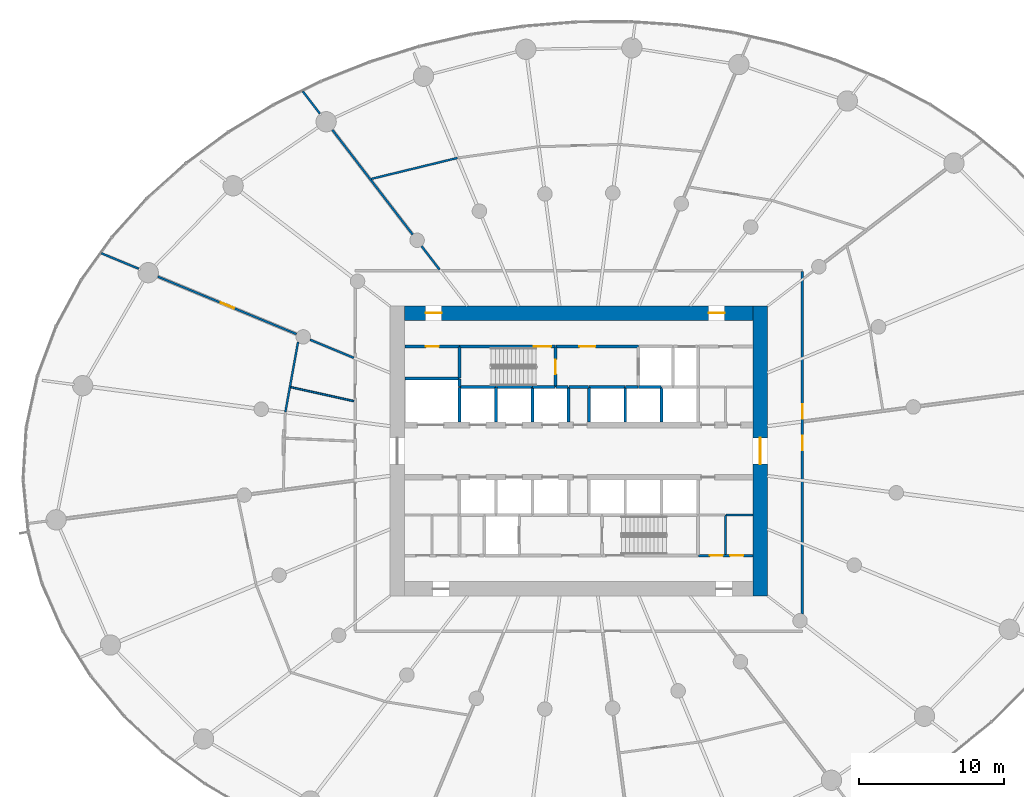
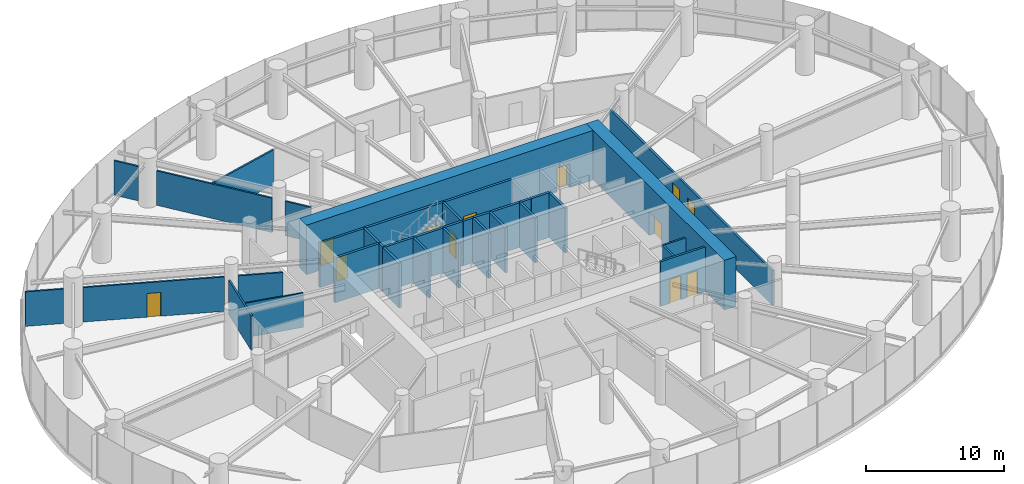
# One storey, part 13 of 17: 37 walls, 12 doors, 12 openings.
"""IFC4 building model written with IfcOpenShell, lengths in metres."""

from ifc_helpers import new_model, si_unit, direction, frame, frame_2d, origin, place, context, subcontext, project, spatial, rectangle, extrude, source, transform, mapped, material, layer, layer_set, type_object, element, fill, save


model = new_model("IFC4")

# Units and contexts
model_context = context("Model", 3, precision=1e-05, world=origin(), true_north=direction((0.0, 1.0)))
body_context = subcontext(model_context, "Body", "Model", "MODEL_VIEW")
ifc_project = project(units=[si_unit("LENGTHUNIT", "METRE"), si_unit("AREAUNIT", "SQUARE_METRE"), si_unit("VOLUMEUNIT", "CUBIC_METRE"), si_unit("PLANEANGLEUNIT", "RADIAN"), si_unit("MASSUNIT", "GRAM", prefix="KILO")], contexts=[model_context])

# Site, building, storey
site_placement = place(None, origin())
site = spatial("IfcSite", under=ifc_project, at=site_placement, CompositionType="ELEMENT")
building_placement = place(site_placement, origin())
building = spatial("IfcBuilding", under=site, at=building_placement, Name="Spindrift Exchange Tower", CompositionType="ELEMENT")
storey_placement = place(building_placement, frame((0.0, 0.0, 35.800048828125)))
storey = spatial("IfcBuildingStorey", under=building, at=storey_placement, Name="L08", CompositionType="ELEMENT", Elevation=35.800048828125)

# Wall, opening, door
ifc_material_1 = material(Name="Concrete 80 MPa", Category="concrete")
ifc_layer_1 = layer(ifc_material_1, 1.0)
ifc_layer_set_1 = layer_set([ifc_layer_1], Name="RC Core Wall 1000 Concrete 80 MPa")
wall_type_1 = type_object("IfcWallType", Name="RC Core Wall 1000 Concrete 80 MPa", PredefinedType="SHEAR", material=ifc_layer_set_1)
wall_1_placement = place(storey_placement, frame((64.5, 38.0, 0.0), z_axis=(0.0, 0.0, 1.0), x_axis=(0.0, 1.0, 0.0)))
wall_1 = element("IfcWall", 1, at=wall_1_placement, inside=storey, type_object=wall_type_1, Name="Core wall E L08", PredefinedType="SHEAR", context=body_context, shape_type="SweptSolid", body=[
    extrude(rectangle(XDim=20.0, YDim=1.0, at=frame_2d((10.0, 0.0))), origin(), (0.0, 0.0, 1.0), 4.39990234375),
])
opening_1_placement = place(wall_1_placement, frame((9.10009765625, 0.0, 0.0)))
opening_1 = element("IfcOpeningElement", 2, at=opening_1_placement, cuts=wall_1, Name="Opening L08-D2", PredefinedType="OPENING", context=body_context, shape_type="SweptSolid", body=[
    extrude(rectangle(XDim=1.800048828125, YDim=2.10009765625, at=frame_2d((0.89990234375, 1.050048828125))), frame((0.0, 0.510009765625, 0.0), z_axis=(0.0, -1.0, 0.0), x_axis=(1.0, 0.0, 0.0)), (0.0, 0.0, 1.0), 1.02001953125),
])
ifc_material_2 = material(Name="Timber-core fire door", Category="wood")
door_type_1 = type_object("IfcDoorType", Name="DR-LOBBY-1800", OperationType="NOTDEFINED", PredefinedType="DOOR", material=ifc_material_2)
shared_shape_1 = source(origin(), body_context, "Body", "SweptSolid", [
    extrude(rectangle(XDim=1.800048828125, YDim=2.10009765625, at=frame_2d((0.89990234375, 1.050048828125))), frame((0.0, 0.02490234375, 0.0), z_axis=(0.0, -1.0, 0.0), x_axis=(1.0, 0.0, 0.0)), (0.0, 0.0, 1.0), 0.050048828125),
])
door_1_placement = place(opening_1_placement, origin())
door_1 = element("IfcDoor", 3, at=door_1_placement, inside=storey, type_object=door_type_1, Name="L08 Lobby door 2", OperationType="SINGLE_SWING_LEFT", OverallHeight=2.10009765625, OverallWidth=1.800048828125, PredefinedType="DOOR", context=body_context, shape_type="MappedRepresentation", body=[
    mapped(shared_shape_1, transform((0.0, 0.0, 0.0), scale=1.0)),
])
fill(opening_1, door_1)

# Wall, openings, doors
wall_2_placement = place(storey_placement, frame((64.0, 57.5, 0.0), z_axis=(0.0, 0.0, 1.0), x_axis=(-1.0, 0.0, 0.0)))
wall_2 = element("IfcWall", 4, at=wall_2_placement, inside=storey, type_object=wall_type_1, Name="Core wall N L08", PredefinedType="SHEAR", context=body_context, shape_type="SweptSolid", body=[
    extrude(rectangle(XDim=24.0, YDim=1.0, at=frame_2d((12.0, 0.0))), origin(), (0.0, 0.0, 1.0), 4.39990234375),
])
opening_2_placement = place(wall_2_placement, frame((21.449951171875, 0.0, 0.0)))
opening_2 = element("IfcOpeningElement", 5, at=opening_2_placement, cuts=wall_2, Name="Opening L08-D20", PredefinedType="OPENING", context=body_context, shape_type="SweptSolid", body=[
    extrude(rectangle(XDim=1.10009765625, YDim=2.10009765625, at=frame_2d((0.550048828125, 1.050048828125))), frame((0.0, 0.510009765625, 0.0), z_axis=(0.0, -1.0, 0.0), x_axis=(1.0, 0.0, 0.0)), (0.0, 0.0, 1.0), 1.02001953125),
])
opening_3_placement = place(wall_2_placement, frame((1.949951171875, 0.0, 0.0)))
opening_3 = element("IfcOpeningElement", 6, at=opening_3_placement, cuts=wall_2, Name="Opening L08-D21", PredefinedType="OPENING", context=body_context, shape_type="SweptSolid", body=[
    extrude(rectangle(XDim=1.10009765625, YDim=2.10009765625, at=frame_2d((0.550048828125, 1.050048828125))), frame((0.0, 0.510009765625, 0.0), z_axis=(0.0, -1.0, 0.0), x_axis=(1.0, 0.0, 0.0)), (0.0, 0.0, 1.0), 1.02001953125),
])
ifc_material_3 = material(Name="Steel fire door", Category="steel")
door_type_2 = type_object("IfcDoorType", Name="DR-STAIR-1100", OperationType="NOTDEFINED", PredefinedType="DOOR", material=ifc_material_3)
shared_shape_2 = source(origin(), body_context, "Body", "SweptSolid", [
    extrude(rectangle(XDim=1.10009765625, YDim=2.10009765625, at=frame_2d((0.550048828125, 1.050048828125))), frame((0.0, 0.02490234375, 0.0), z_axis=(0.0, -1.0, 0.0), x_axis=(1.0, 0.0, 0.0)), (0.0, 0.0, 1.0), 0.050048828125),
])
door_2_placement = place(opening_2_placement, origin())
door_2 = element("IfcDoor", 7, at=door_2_placement, inside=storey, type_object=door_type_2, Name="L08 Stair door 20", OperationType="SINGLE_SWING_LEFT", OverallHeight=2.10009765625, OverallWidth=1.10009765625, PredefinedType="DOOR", context=body_context, shape_type="MappedRepresentation", body=[
    mapped(shared_shape_2, transform((0.0, 0.0, 0.0), scale=1.0)),
])
fill(opening_2, door_2)
door_3_placement = place(opening_3_placement, origin())
door_3 = element("IfcDoor", 8, at=door_3_placement, inside=storey, type_object=door_type_2, Name="L08 Stair door 21", OperationType="SINGLE_SWING_RIGHT", OverallHeight=2.10009765625, OverallWidth=1.10009765625, PredefinedType="DOOR", context=body_context, shape_type="MappedRepresentation", body=[
    mapped(shared_shape_2, transform((0.0, 0.0, 0.0), scale=1.0)),
])
fill(opening_3, door_3)

# Wall, opening, door
ifc_material_4 = material(Name="Fire-rated plasterboard partition", Category="gypsum")
ifc_layer_2 = layer(ifc_material_4, 0.179931640625)
ifc_layer_set_2 = layer_set([ifc_layer_2], Name="W-CORR-180")
wall_type_2 = type_object("IfcWallType", Name="W-CORR-180", PredefinedType="PARTITIONING", material=ifc_layer_set_2)
wall_3_placement = place(storey_placement, frame((43.77001953125, 55.199951171875, 0.0), z_axis=(0.0, 0.0, 1.0), x_axis=(-1.0, 0.0, 0.0)))
wall_3 = element("IfcWall", 9, at=wall_3_placement, inside=storey, type_object=wall_type_2, Name="L08 Partition wall 62", PredefinedType="PARTITIONING", context=body_context, shape_type="SweptSolid", body=[
    extrude(rectangle(XDim=3.75, YDim=0.179931640625, at=frame_2d((1.875, 0.0))), origin(), (0.0, 0.0, 1.0), 3.949951171875),
])
opening_4_placement = place(wall_3_placement, frame((1.39990234375, 0.0, 0.0)))
opening_4 = element("IfcOpeningElement", 10, at=opening_4_placement, cuts=wall_3, Name="Opening L08-D41", PredefinedType="OPENING", context=body_context, shape_type="SweptSolid", body=[
    extrude(rectangle(XDim=0.89990234375, YDim=2.10009765625, at=frame_2d((0.449951171875, 1.050048828125))), frame((0.0, 0.099853515625, 0.0), z_axis=(0.0, -1.0, 0.0), x_axis=(1.0, 0.0, 0.0)), (0.0, 0.0, 1.0), 0.199951171875),
])
ifc_material_5 = material(Name="Steel access door", Category="steel")
door_type_3 = type_object("IfcDoorType", Name="DR-RISER-900", OperationType="NOTDEFINED", PredefinedType="DOOR", material=ifc_material_5)
shared_shape_3 = source(origin(), body_context, "Body", "SweptSolid", [
    extrude(rectangle(XDim=0.89990234375, YDim=2.10009765625, at=frame_2d((0.449951171875, 1.050048828125))), frame((0.0, 0.02490234375, 0.0), z_axis=(0.0, -1.0, 0.0), x_axis=(1.0, 0.0, 0.0)), (0.0, 0.0, 1.0), 0.050048828125),
])
door_4_placement = place(opening_4_placement, origin())
door_4 = element("IfcDoor", 11, at=door_4_placement, inside=storey, type_object=door_type_3, Name="L08 Riser door 41", OperationType="SINGLE_SWING_RIGHT", OverallHeight=2.10009765625, OverallWidth=0.89990234375, PredefinedType="DOOR", context=body_context, shape_type="MappedRepresentation", body=[
    mapped(shared_shape_3, transform((0.0, 0.0, 0.0), scale=1.0)),
])
fill(opening_4, door_4)

# Wall, openings, doors
wall_4_placement = place(storey_placement, frame((60.22998046875, 40.800048828125, 0.0), z_axis=(0.0, 0.0, 1.0), x_axis=(1.0, 0.0, 0.0)))
wall_4 = element("IfcWall", 12, at=wall_4_placement, inside=storey, type_object=wall_type_2, Name="L08 Partition wall 63", PredefinedType="PARTITIONING", context=body_context, shape_type="SweptSolid", body=[
    extrude(rectangle(XDim=3.75, YDim=0.179931640625, at=frame_2d((1.875, 0.0))), origin(), (0.0, 0.0, 1.0), 3.949951171875),
])
opening_5_placement = place(wall_4_placement, frame((0.800048828125, 0.0, 0.0)))
opening_5 = element("IfcOpeningElement", 13, at=opening_5_placement, cuts=wall_4, Name="Opening L08-D48", PredefinedType="OPENING", context=body_context, shape_type="SweptSolid", body=[
    extrude(rectangle(XDim=0.89990234375, YDim=2.10009765625, at=frame_2d((0.449951171875, 1.050048828125))), frame((0.0, 0.099853515625, 0.0), z_axis=(0.0, -1.0, 0.0), x_axis=(1.0, 0.0, 0.0)), (0.0, 0.0, 1.0), 0.199951171875),
])
opening_6_placement = place(wall_4_placement, frame((2.199951171875, 0.0, 0.0)))
opening_6 = element("IfcOpeningElement", 14, at=opening_6_placement, cuts=wall_4, Name="Opening L08-D49", PredefinedType="OPENING", context=body_context, shape_type="SweptSolid", body=[
    extrude(rectangle(XDim=0.89990234375, YDim=2.10009765625, at=frame_2d((0.449951171875, 1.050048828125))), frame((0.0, 0.099853515625, 0.0), z_axis=(0.0, -1.0, 0.0), x_axis=(1.0, 0.0, 0.0)), (0.0, 0.0, 1.0), 0.199951171875),
])
door_5_placement = place(opening_5_placement, origin())
door_5 = element("IfcDoor", 15, at=door_5_placement, inside=storey, type_object=door_type_3, Name="L08 Riser door 48", OperationType="SINGLE_SWING_LEFT", OverallHeight=2.10009765625, OverallWidth=0.89990234375, PredefinedType="DOOR", context=body_context, shape_type="MappedRepresentation", body=[
    mapped(shared_shape_3, transform((0.0, 0.0, 0.0), scale=1.0)),
])
fill(opening_5, door_5)
door_6_placement = place(opening_6_placement, origin())
door_6 = element("IfcDoor", 16, at=door_6_placement, inside=storey, type_object=door_type_3, Name="L08 Riser door 49", OperationType="SINGLE_SWING_RIGHT", OverallHeight=2.10009765625, OverallWidth=0.89990234375, PredefinedType="DOOR", context=body_context, shape_type="MappedRepresentation", body=[
    mapped(shared_shape_3, transform((0.0, 0.0, 0.0), scale=1.0)),
])
fill(opening_6, door_6)

# Wall, opening, door
ifc_layer_3 = layer(ifc_material_4, 0.139892578125)
ifc_layer_set_3 = layer_set([ifc_layer_3], Name="W-PART-140")
wall_type_3 = type_object("IfcWallType", Name="W-PART-140", PredefinedType="PARTITIONING", material=ifc_layer_set_3)
wall_5_placement = place(storey_placement, frame((32.560791015625, 56.052001953125, 0.0), z_axis=(0.0, 0.0, 1.0), x_axis=(-0.923874685699, 0.382695133396, 0.0)))
wall_5 = element("IfcWall", 17, at=wall_5_placement, inside=storey, type_object=wall_type_3, Name="L08 Partition wall 67", PredefinedType="PARTITIONING", context=body_context, shape_type="SweptSolid", body=[
    extrude(rectangle(XDim=10.341064453125, YDim=0.139892578125, at=frame_2d((5.17041015625, 0.0))), origin(), (0.0, 0.0, 1.0), 3.050048828125),
])
opening_7_placement = place(wall_5_placement, frame((4.64990234375, 0.0, 0.0)))
opening_7 = element("IfcOpeningElement", 18, at=opening_7_placement, cuts=wall_5, Name="Opening L08-D29", PredefinedType="OPENING", context=body_context, shape_type="SweptSolid", body=[
    extrude(rectangle(XDim=1.0, YDim=2.10009765625, at=frame_2d((0.5, 1.050048828125))), frame((0.0, 0.079833984375, 0.0), z_axis=(0.0, -1.0, 0.0), x_axis=(1.0, 0.0, 0.0)), (0.0, 0.0, 1.0), 0.159912109375),
])
door_type_4 = type_object("IfcDoorType", Name="DR-ROOM-1000", OperationType="NOTDEFINED", PredefinedType="DOOR", material=ifc_material_2)
shared_shape_4 = source(origin(), body_context, "Body", "SweptSolid", [
    extrude(rectangle(XDim=1.0, YDim=2.10009765625, at=frame_2d((0.5, 1.050048828125))), frame((0.0, 0.02490234375, 0.0), z_axis=(0.0, -1.0, 0.0), x_axis=(1.0, 0.0, 0.0)), (0.0, 0.0, 1.0), 0.050048828125),
])
door_7_placement = place(opening_7_placement, origin())
door_7 = element("IfcDoor", 19, at=door_7_placement, inside=storey, type_object=door_type_4, Name="L08 Door 29", OperationType="SINGLE_SWING_RIGHT", OverallHeight=2.10009765625, OverallWidth=1.0, PredefinedType="DOOR", context=body_context, shape_type="MappedRepresentation", body=[
    mapped(shared_shape_4, transform((0.0, 0.0, 0.0), scale=1.0)),
])
fill(opening_7, door_7)

# Walls
wall_6_placement = place(storey_placement, frame((35.031982421875, 70.113037109375, 0.0), z_axis=(0.0, 0.0, 1.0), x_axis=(0.608770769454, -0.793346173028, 0.0)))
element("IfcWall", 20, at=wall_6_placement, inside=storey, type_object=wall_type_3, Name="L08 Partition wall 70", PredefinedType="PARTITIONING", context=body_context, shape_type="SweptSolid", body=[
    extrude(rectangle(XDim=9.0791015625, YDim=0.139892578125, at=frame_2d((4.53955078125, 0.0))), origin(), (0.0, 0.0, 1.0), 3.050048828125),
])
wall_7_placement = place(storey_placement, frame((43.64111328125, 68.179931640625, 0.0), z_axis=(0.0, 0.0, 1.0), x_axis=(-0.971620655009, -0.23654450482, 0.0)))
element("IfcWall", 21, at=wall_7_placement, inside=storey, type_object=wall_type_3, Name="L08 Partition wall 78", PredefinedType="PARTITIONING", context=body_context, shape_type="SweptSolid", body=[
    extrude(rectangle(XDim=6.102783203125, YDim=0.139892578125, at=frame_2d((3.05126953125, 0.0))), origin(), (0.0, 0.0, 1.0), 3.050048828125),
])
wall_8_placement = place(storey_placement, frame((32.66943359375, 55.502685546875, 0.0), z_axis=(0.0, 0.0, 1.0), x_axis=(-0.178046403734, -0.984022092291, 0.0)))
element("IfcWall", 22, at=wall_8_placement, inside=storey, type_object=wall_type_3, Name="L08 Partition wall 91", PredefinedType="PARTITIONING", context=body_context, shape_type="SweptSolid", body=[
    extrude(rectangle(XDim=4.89111328125, YDim=0.139892578125, at=frame_2d((2.445556640625, 0.0))), origin(), (0.0, 0.0, 1.0), 3.050048828125),
])
wall_9_placement = place(storey_placement, frame((36.510009765625, 54.416259765625, 0.0), z_axis=(0.0, 0.0, 1.0), x_axis=(-0.923911109142, 0.382607190737, 0.0)))
element("IfcWall", 23, at=wall_9_placement, inside=storey, type_object=wall_type_3, Name="L08 Partition wall 96", PredefinedType="PARTITIONING", context=body_context, shape_type="SweptSolid", body=[
    extrude(rectangle(XDim=3.264404296875, YDim=0.139892578125, at=frame_2d((1.63232421875, 0.0))), origin(), (0.0, 0.0, 1.0), 3.050048828125),
])
wall_10_placement = place(storey_placement, frame((62.10009765625, 40.889892578125, 0.0), z_axis=(0.0, 0.0, 1.0), x_axis=(0.0, 1.0, 0.0)))
element("IfcWall", 24, at=wall_10_placement, inside=storey, type_object=wall_type_3, Name="L08 Partition wall 98", PredefinedType="PARTITIONING", context=body_context, shape_type="SweptSolid", body=[
    extrude(rectangle(XDim=2.710205078125, YDim=0.139892578125, at=frame_2d((1.35498046875, 0.0))), origin(), (0.0, 0.0, 1.0), 3.050048828125),
])
wall_11_placement = place(storey_placement, frame((21.7041015625, 60.549072265625, 0.0), z_axis=(0.0, 0.0, 1.0), x_axis=(-0.923906214347, 0.382619010363, 0.0)))
element("IfcWall", 25, at=wall_11_placement, inside=storey, type_object=wall_type_3, Name="L08 Partition wall 99", PredefinedType="PARTITIONING", context=body_context, shape_type="SweptSolid", body=[
    extrude(rectangle(XDim=2.79736328125, YDim=0.139892578125, at=frame_2d((1.398681640625, 0.0))), origin(), (0.0, 0.0, 1.0), 3.050048828125),
])
wall_12_placement = place(storey_placement, frame((42.416015625, 60.489990234375, 0.0), z_axis=(0.0, 0.0, 1.0), x_axis=(-0.608727763541, 0.793379171578, 0.0)))
element("IfcWall", 26, at=wall_12_placement, inside=storey, type_object=wall_type_3, Name="L08 Partition wall 102", PredefinedType="PARTITIONING", context=body_context, shape_type="SweptSolid", body=[
    extrude(rectangle(XDim=2.04150390625, YDim=0.139892578125, at=frame_2d((1.020751953125, 0.0))), origin(), (0.0, 0.0, 1.0), 3.050048828125),
])
wall_13_placement = place(storey_placement, frame((34.1748046875, 71.23046875, 0.0), z_axis=(0.0, 0.0, 1.0), x_axis=(-0.608846424219, 0.793288113938, 0.0)))
element("IfcWall", 27, at=wall_13_placement, inside=storey, type_object=wall_type_3, Name="L08 Partition wall 104", PredefinedType="PARTITIONING", context=body_context, shape_type="SweptSolid", body=[
    extrude(rectangle(XDim=1.939208984375, YDim=0.139892578125, at=frame_2d((0.9697265625, 0.0))), origin(), (0.0, 0.0, 1.0), 3.050048828125),
])
wall_14_placement = place(storey_placement, frame((62.1298828125, 43.60009765625, 0.0), z_axis=(0.0, 0.0, 1.0), x_axis=(1.0, 0.0, 0.0)))
element("IfcWall", 28, at=wall_14_placement, inside=storey, type_object=wall_type_3, Name="L08 Partition wall 111", PredefinedType="PARTITIONING", context=body_context, shape_type="SweptSolid", body=[
    extrude(rectangle(XDim=1.85009765625, YDim=0.139892578125, at=frame_2d((0.925048828125, 0.0))), origin(), (0.0, 0.0, 1.0), 3.050048828125),
])

# Wall, openings, doors
ifc_layer_4 = layer(ifc_material_4, 0.179931640625)
ifc_layer_set_4 = layer_set([ifc_layer_4], Name="W-PLANT-180")
wall_type_4 = type_object("IfcWallType", Name="W-PLANT-180", PredefinedType="PARTITIONING", material=ifc_layer_set_4)
wall_15_placement = place(storey_placement, frame((67.39990234375, 60.3701171875, 0.0), z_axis=(0.0, 0.0, 1.0), x_axis=(0.0, -1.0, 0.0)))
wall_15 = element("IfcWall", 29, at=wall_15_placement, inside=storey, type_object=wall_type_4, Name="L08 Partition wall 59", PredefinedType="PARTITIONING", context=body_context, shape_type="SweptSolid", body=[
    extrude(rectangle(XDim=23.58251953125, YDim=0.179931640625, at=frame_2d((11.791259765625, 0.0))), origin(), (0.0, 0.0, 1.0), 3.050048828125),
])
opening_8_placement = place(wall_15_placement, frame((11.33251953125, 0.0, 0.0)))
opening_8 = element("IfcOpeningElement", 30, at=opening_8_placement, cuts=wall_15, Name="Opening L08-D33", PredefinedType="OPENING", context=body_context, shape_type="SweptSolid", body=[
    extrude(rectangle(XDim=1.0, YDim=2.10009765625, at=frame_2d((0.5, 1.050048828125))), frame((0.0, 0.099853515625, 0.0), z_axis=(0.0, -1.0, 0.0), x_axis=(1.0, 0.0, 0.0)), (0.0, 0.0, 1.0), 0.199951171875),
])
opening_9_placement = place(wall_15_placement, frame((9.132568359375, 0.0, 0.0)))
opening_9 = element("IfcOpeningElement", 31, at=opening_9_placement, cuts=wall_15, Name="Opening L08-D34", PredefinedType="OPENING", context=body_context, shape_type="SweptSolid", body=[
    extrude(rectangle(XDim=1.0, YDim=2.10009765625, at=frame_2d((0.5, 1.050048828125))), frame((0.0, 0.099853515625, 0.0), z_axis=(0.0, -1.0, 0.0), x_axis=(1.0, 0.0, 0.0)), (0.0, 0.0, 1.0), 0.199951171875),
])
door_8_placement = place(opening_8_placement, origin())
door_8 = element("IfcDoor", 32, at=door_8_placement, inside=storey, type_object=door_type_4, Name="L08 Door 33", OperationType="SINGLE_SWING_RIGHT", OverallHeight=2.10009765625, OverallWidth=1.0, PredefinedType="DOOR", context=body_context, shape_type="MappedRepresentation", body=[
    mapped(shared_shape_4, transform((0.0, 0.0, 0.0), scale=1.0)),
])
fill(opening_8, door_8)
door_9_placement = place(opening_9_placement, origin())
door_9 = element("IfcDoor", 33, at=door_9_placement, inside=storey, type_object=door_type_4, Name="L08 Door 34", OperationType="SINGLE_SWING_LEFT", OverallHeight=2.10009765625, OverallWidth=1.0, PredefinedType="DOOR", context=body_context, shape_type="MappedRepresentation", body=[
    mapped(shared_shape_4, transform((0.0, 0.0, 0.0), scale=1.0)),
])
fill(opening_9, door_9)

# Walls
ifc_material_6 = material(Name="Concrete 40 MPa", Category="concrete")
ifc_layer_5 = layer(ifc_material_6, 0.199951171875)
ifc_layer_set_5 = layer_set([ifc_layer_5], Name="W-SHAFT-200")
wall_type_5 = type_object("IfcWallType", Name="W-SHAFT-200", PredefinedType="SOLIDWALL", material=ifc_layer_set_5)
wall_16_placement = place(storey_placement, frame((55.199951171875, 52.39990234375, 0.0), z_axis=(0.0, 0.0, 1.0), x_axis=(-1.0, 0.0, 0.0)))
element("IfcWall", 34, at=wall_16_placement, inside=storey, type_object=wall_type_5, Name="L08 Shaft wall 18", PredefinedType="SOLIDWALL", context=body_context, shape_type="SweptSolid", body=[
    extrude(rectangle(XDim=2.5, YDim=0.199951171875, at=frame_2d((1.25, 0.0))), origin(), (0.0, 0.0, 1.0), 3.949951171875),
])
wall_17_placement = place(storey_placement, frame((51.300048828125, 50.010009765625, 0.0), z_axis=(0.0, 0.0, 1.0), x_axis=(0.0, 1.0, 0.0)))
element("IfcWall", 35, at=wall_17_placement, inside=storey, type_object=wall_type_5, Name="L08 Shaft wall 30", PredefinedType="SOLIDWALL", context=body_context, shape_type="SweptSolid", body=[
    extrude(rectangle(XDim=2.389892578125, YDim=0.199951171875, at=frame_2d((1.19482421875, 0.0))), origin(), (0.0, 0.0, 1.0), 3.949951171875),
])
for number, where, z_axis, x_axis, name in (
    (36, (52.699951171875, 52.3701171875, 0.0), (0.0, 0.0, 1.0), (0.0, -1.0, 0.0), "L08 Shaft wall 32"),
    (37, (55.199951171875, 50.010009765625, 0.0), (0.0, 0.0, 1.0), (0.0, 1.0, 0.0), "L08 Shaft wall 34"),
):
    element("IfcWall", number, at=place(storey_placement, frame(where, z_axis=z_axis, x_axis=x_axis)), inside=storey, type_object=wall_type_5, Name=name, PredefinedType="SOLIDWALL", context=body_context, shape_type="SweptSolid", body=[
        extrude(rectangle(XDim=2.360107421875, YDim=0.199951171875, at=frame_2d((1.18017578125, 0.0))), origin(), (0.0, 0.0, 1.0), 3.949951171875),
    ])
wall_18_placement = place(storey_placement, frame((57.699951171875, 50.010009765625, 0.0), z_axis=(0.0, 0.0, 1.0), x_axis=(0.0, 1.0, 0.0)))
element("IfcWall", 38, at=wall_18_placement, inside=storey, type_object=wall_type_5, Name="L08 Shaft wall 36", PredefinedType="SOLIDWALL", context=body_context, shape_type="SweptSolid", body=[
    extrude(rectangle(XDim=2.389892578125, YDim=0.199951171875, at=frame_2d((1.19482421875, 0.0))), origin(), (0.0, 0.0, 1.0), 3.949951171875),
])
wall_19_placement = place(storey_placement, frame((57.669921875, 52.39990234375, 0.0), z_axis=(0.0, 0.0, 1.0), x_axis=(-1.0, 0.0, 0.0)))
element("IfcWall", 39, at=wall_19_placement, inside=storey, type_object=wall_type_5, Name="L08 Shaft wall 47", PredefinedType="SOLIDWALL", context=body_context, shape_type="SweptSolid", body=[
    extrude(rectangle(XDim=1.5400390625, YDim=0.199951171875, at=frame_2d((0.77001953125, 0.0))), origin(), (0.0, 0.0, 1.0), 3.949951171875),
])
wall_20_placement = place(storey_placement, frame((51.330078125, 52.39990234375, 0.0), z_axis=(0.0, 0.0, 1.0), x_axis=(1.0, 0.0, 0.0)))
element("IfcWall", 40, at=wall_20_placement, inside=storey, type_object=wall_type_5, Name="L08 Shaft wall 49", PredefinedType="SOLIDWALL", context=body_context, shape_type="SweptSolid", body=[
    extrude(rectangle(XDim=1.33984375, YDim=0.199951171875, at=frame_2d((0.669921875, 0.0))), origin(), (0.0, 0.0, 1.0), 3.949951171875),
])
wall_21_placement = place(storey_placement, frame((56.070068359375, 52.39990234375, 0.0), z_axis=(0.0, 0.0, 1.0), x_axis=(-1.0, 0.0, 0.0)))
element("IfcWall", 41, at=wall_21_placement, inside=storey, type_object=wall_type_5, Name="L08 Shaft wall 53", PredefinedType="SOLIDWALL", context=body_context, shape_type="SweptSolid", body=[
    extrude(rectangle(XDim=0.840087890625, YDim=0.199951171875, at=frame_2d((0.419921875, 0.0))), origin(), (0.0, 0.0, 1.0), 3.949951171875),
])

# Wall, opening, door
ifc_layer_6 = layer(ifc_material_6, 0.199951171875)
ifc_layer_set_6 = layer_set([ifc_layer_6], Name="W-SHAFT-200-LB")
wall_type_6 = type_object("IfcWallType", Name="W-SHAFT-200-LB", PredefinedType="SOLIDWALL", material=ifc_layer_set_6)
wall_22_placement = place(storey_placement, frame((50.39990234375, 55.199951171875, 0.0), z_axis=(0.0, 0.0, 1.0), x_axis=(-1.0, 0.0, 0.0)))
wall_22 = element("IfcWall", 42, at=wall_22_placement, inside=storey, type_object=wall_type_6, Name="L08 Shaft wall 1", PredefinedType="SOLIDWALL", context=body_context, shape_type="SweptSolid", body=[
    extrude(rectangle(XDim=6.599853515625, YDim=0.199951171875, at=frame_2d((3.2998046875, 0.0))), origin(), (0.0, 0.0, 1.0), 3.949951171875),
])
opening_10_placement = place(wall_22_placement, frame((0.300048828125, 0.0, 0.0)))
opening_10 = element("IfcOpeningElement", 43, at=opening_10_placement, cuts=wall_22, Name="Opening L08-D13", PredefinedType="OPENING", context=body_context, shape_type="SweptSolid", body=[
    extrude(rectangle(XDim=1.199951171875, YDim=2.10009765625, at=frame_2d((0.60009765625, 1.050048828125))), frame((0.0, 0.10986328125, 0.0), z_axis=(0.0, -1.0, 0.0), x_axis=(1.0, 0.0, 0.0)), (0.0, 0.0, 1.0), 0.219970703125),
])
door_type_5 = type_object("IfcDoorType", Name="DR-STAIR-1200", OperationType="NOTDEFINED", PredefinedType="DOOR", material=ifc_material_3)
shared_shape_5 = source(origin(), body_context, "Body", "SweptSolid", [
    extrude(rectangle(XDim=1.199951171875, YDim=2.10009765625, at=frame_2d((0.60009765625, 1.050048828125))), frame((0.0, 0.02490234375, 0.0), z_axis=(0.0, -1.0, 0.0), x_axis=(1.0, 0.0, 0.0)), (0.0, 0.0, 1.0), 0.050048828125),
])
door_10_placement = place(opening_10_placement, origin())
door_10 = element("IfcDoor", 44, at=door_10_placement, inside=storey, type_object=door_type_5, Name="L08 Stair door 13", OperationType="SINGLE_SWING_RIGHT", OverallHeight=2.10009765625, OverallWidth=1.199951171875, PredefinedType="DOOR", context=body_context, shape_type="MappedRepresentation", body=[
    mapped(shared_shape_5, transform((0.0, 0.0, 0.0), scale=1.0)),
])
fill(opening_10, door_10)

wall_23_placement = place(storey_placement, frame((56.10009765625, 55.199951171875, 0.0), z_axis=(0.0, 0.0, 1.0), x_axis=(-1.0, 0.0, 0.0)))
wall_23 = element("IfcWall", 45, at=wall_23_placement, inside=storey, type_object=wall_type_6, Name="L08 Shaft wall 4", PredefinedType="SOLIDWALL", context=body_context, shape_type="SweptSolid", body=[
    extrude(rectangle(XDim=5.670166015625, YDim=0.199951171875, at=frame_2d((2.8349609375, 0.0))), origin(), (0.0, 0.0, 1.0), 3.949951171875),
])
opening_11_placement = place(wall_23_placement, frame((2.949951171875, 0.0, 0.0)))
opening_11 = element("IfcOpeningElement", 46, at=opening_11_placement, cuts=wall_23, Name="Opening L08-D15", PredefinedType="OPENING", context=body_context, shape_type="SweptSolid", body=[
    extrude(rectangle(XDim=1.10009765625, YDim=2.10009765625, at=frame_2d((0.550048828125, 1.050048828125))), frame((0.0, 0.10986328125, 0.0), z_axis=(0.0, -1.0, 0.0), x_axis=(1.0, 0.0, 0.0)), (0.0, 0.0, 1.0), 0.219970703125),
])
door_type_6 = type_object("IfcDoorType", Name="DR-LOBBY-1100", OperationType="NOTDEFINED", PredefinedType="DOOR", material=ifc_material_2)
shared_shape_6 = source(origin(), body_context, "Body", "SweptSolid", [
    extrude(rectangle(XDim=1.10009765625, YDim=2.10009765625, at=frame_2d((0.550048828125, 1.050048828125))), frame((0.0, 0.02490234375, 0.0), z_axis=(0.0, -1.0, 0.0), x_axis=(1.0, 0.0, 0.0)), (0.0, 0.0, 1.0), 0.050048828125),
])
door_11_placement = place(opening_11_placement, origin())
door_11 = element("IfcDoor", 47, at=door_11_placement, inside=storey, type_object=door_type_6, Name="L08 Lobby door 15", OperationType="SINGLE_SWING_RIGHT", OverallHeight=2.10009765625, OverallWidth=1.10009765625, PredefinedType="DOOR", context=body_context, shape_type="MappedRepresentation", body=[
    mapped(shared_shape_6, transform((0.0, 0.0, 0.0), scale=1.0)),
])
fill(opening_11, door_11)

# Wall
wall_24_placement = place(storey_placement, frame((43.800048828125, 53.0, 0.0), z_axis=(0.0, 0.0, 1.0), x_axis=(-1.0, 0.0, 0.0)))
element("IfcWall", 48, at=wall_24_placement, inside=storey, type_object=wall_type_6, Name="L08 Shaft wall 5", PredefinedType="SOLIDWALL", context=body_context, shape_type="SweptSolid", body=[
    extrude(rectangle(XDim=3.780029296875, YDim=0.199951171875, at=frame_2d((1.89013671875, 0.0))), origin(), (0.0, 0.0, 1.0), 3.949951171875),
])

# Wall, opening, door
wall_25_placement = place(storey_placement, frame((50.39990234375, 52.39990234375, 0.0), z_axis=(0.0, 0.0, 1.0), x_axis=(0.0, 1.0, 0.0)))
wall_25 = element("IfcWall", 49, at=wall_25_placement, inside=storey, type_object=wall_type_6, Name="L08 Shaft wall 9", PredefinedType="SOLIDWALL", context=body_context, shape_type="SweptSolid", body=[
    extrude(rectangle(XDim=2.77001953125, YDim=0.199951171875, at=frame_2d((1.385009765625, 0.0))), origin(), (0.0, 0.0, 1.0), 3.949951171875),
])
opening_12_placement = place(wall_25_placement, frame((0.89990234375, 0.0, 0.0)))
opening_12 = element("IfcOpeningElement", 50, at=opening_12_placement, cuts=wall_25, Name="Opening L08-D14", PredefinedType="OPENING", context=body_context, shape_type="SweptSolid", body=[
    extrude(rectangle(XDim=1.0, YDim=2.10009765625, at=frame_2d((0.5, 1.050048828125))), frame((0.0, 0.10986328125, 0.0), z_axis=(0.0, -1.0, 0.0), x_axis=(1.0, 0.0, 0.0)), (0.0, 0.0, 1.0), 0.219970703125),
])
door_type_7 = type_object("IfcDoorType", Name="DR-STAIR-1000", OperationType="NOTDEFINED", PredefinedType="DOOR", material=ifc_material_3)
shared_shape_7 = source(origin(), body_context, "Body", "SweptSolid", [
    extrude(rectangle(XDim=1.0, YDim=2.10009765625, at=frame_2d((0.5, 1.050048828125))), frame((0.0, 0.02490234375, 0.0), z_axis=(0.0, -1.0, 0.0), x_axis=(1.0, 0.0, 0.0)), (0.0, 0.0, 1.0), 0.050048828125),
])
door_12_placement = place(opening_12_placement, origin())
door_12 = element("IfcDoor", 51, at=door_12_placement, inside=storey, type_object=door_type_7, Name="L08 Stair door 14", OperationType="SINGLE_SWING_LEFT", OverallHeight=2.10009765625, OverallWidth=1.0, PredefinedType="DOOR", context=body_context, shape_type="MappedRepresentation", body=[
    mapped(shared_shape_7, transform((0.0, 0.0, 0.0), scale=1.0)),
])
fill(opening_12, door_12)

# Walls
wall_26_placement = place(storey_placement, frame((46.300048828125, 52.39990234375, 0.0), z_axis=(0.0, 0.0, 1.0), x_axis=(-1.0, 0.0, 0.0)))
element("IfcWall", 52, at=wall_26_placement, inside=storey, type_object=wall_type_6, Name="L08 Shaft wall 15", PredefinedType="SOLIDWALL", context=body_context, shape_type="SweptSolid", body=[
    extrude(rectangle(XDim=2.5, YDim=0.199951171875, at=frame_2d((1.25, 0.0))), origin(), (0.0, 0.0, 1.0), 3.949951171875),
])
wall_27_placement = place(storey_placement, frame((48.800048828125, 52.39990234375, 0.0), z_axis=(0.0, 0.0, 1.0), x_axis=(-1.0, 0.0, 0.0)))
element("IfcWall", 53, at=wall_27_placement, inside=storey, type_object=wall_type_6, Name="L08 Shaft wall 16", PredefinedType="SOLIDWALL", context=body_context, shape_type="SweptSolid", body=[
    extrude(rectangle(XDim=2.469970703125, YDim=0.199951171875, at=frame_2d((1.23486328125, 0.0))), origin(), (0.0, 0.0, 1.0), 3.949951171875),
])
for number, where, z_axis, x_axis, name in (
    (54, (43.800048828125, 52.3701171875, 0.0), (0.0, 0.0, 1.0), (0.0, -1.0, 0.0), "L08 Shaft wall 24"),
    (55, (46.300048828125, 50.010009765625, 0.0), (0.0, 0.0, 1.0), (0.0, 1.0, 0.0), "L08 Shaft wall 26"),
    (56, (48.800048828125, 50.010009765625, 0.0), (0.0, 0.0, 1.0), (0.0, 1.0, 0.0), "L08 Shaft wall 28"),
):
    element("IfcWall", number, at=place(storey_placement, frame(where, z_axis=z_axis, x_axis=x_axis)), inside=storey, type_object=wall_type_6, Name=name, PredefinedType="SOLIDWALL", context=body_context, shape_type="SweptSolid", body=[
        extrude(rectangle(XDim=2.360107421875, YDim=0.199951171875, at=frame_2d((1.18017578125, 0.0))), origin(), (0.0, 0.0, 1.0), 3.949951171875),
    ])
wall_28_placement = place(storey_placement, frame((43.800048828125, 55.169921875, 0.0), z_axis=(0.0, 0.0, 1.0), x_axis=(0.0, -1.0, 0.0)))
element("IfcWall", 57, at=wall_28_placement, inside=storey, type_object=wall_type_6, Name="L08 Shaft wall 39", PredefinedType="SOLIDWALL", context=body_context, shape_type="SweptSolid", body=[
    extrude(rectangle(XDim=2.139892578125, YDim=0.199951171875, at=frame_2d((1.06982421875, 0.0))), origin(), (0.0, 0.0, 1.0), 3.949951171875),
])
wall_29_placement = place(storey_placement, frame((50.3701171875, 52.39990234375, 0.0), z_axis=(0.0, 0.0, 1.0), x_axis=(-1.0, 0.0, 0.0)))
element("IfcWall", 58, at=wall_29_placement, inside=storey, type_object=wall_type_6, Name="L08 Shaft wall 45", PredefinedType="SOLIDWALL", context=body_context, shape_type="SweptSolid", body=[
    extrude(rectangle(XDim=1.5400390625, YDim=0.199951171875, at=frame_2d((0.77001953125, 0.0))), origin(), (0.0, 0.0, 1.0), 3.949951171875),
])
wall_30_placement = place(storey_placement, frame((51.27001953125, 52.39990234375, 0.0), z_axis=(0.0, 0.0, 1.0), x_axis=(-1.0, 0.0, 0.0)))
element("IfcWall", 59, at=wall_30_placement, inside=storey, type_object=wall_type_6, Name="L08 Shaft wall 51", PredefinedType="SOLIDWALL", context=body_context, shape_type="SweptSolid", body=[
    extrude(rectangle(XDim=0.840087890625, YDim=0.199951171875, at=frame_2d((0.419921875, 0.0))), origin(), (0.0, 0.0, 1.0), 3.949951171875),
])
wall_31_placement = place(storey_placement, frame((43.800048828125, 52.429931640625, 0.0), z_axis=(0.0, 0.0, 1.0), x_axis=(0.0, 1.0, 0.0)))
element("IfcWall", 60, at=wall_31_placement, inside=storey, type_object=wall_type_6, Name="L08 Shaft wall 56", PredefinedType="SOLIDWALL", context=body_context, shape_type="SweptSolid", body=[
    extrude(rectangle(XDim=0.5400390625, YDim=0.199951171875, at=frame_2d((0.27001953125, 0.0))), origin(), (0.0, 0.0, 1.0), 3.949951171875),
])
ifc_layer_7 = layer(ifc_material_4, 0.1201171875)
ifc_layer_set_7 = layer_set([ifc_layer_7], Name="W-WET-120")
wall_type_7 = type_object("IfcWallType", Name="W-WET-120", PredefinedType="PARTITIONING", material=ifc_layer_set_7)
wall_32_placement = place(storey_placement, frame((36.510009765625, 51.43408203125, 0.0), z_axis=(0.0, 0.0, 1.0), x_axis=(-0.976302150535, 0.216411900922, 0.0)))
element("IfcWall", 61, at=wall_32_placement, inside=storey, type_object=wall_type_7, Name="L08 Partition wall 122", PredefinedType="PARTITIONING", context=body_context, shape_type="SweptSolid", body=[
    extrude(rectangle(XDim=4.43701171875, YDim=0.1201171875, at=frame_2d((2.218505859375, 0.0))), origin(), (0.0, 0.0, 1.0), 3.050048828125),
])

save(model, "model.ifc")
